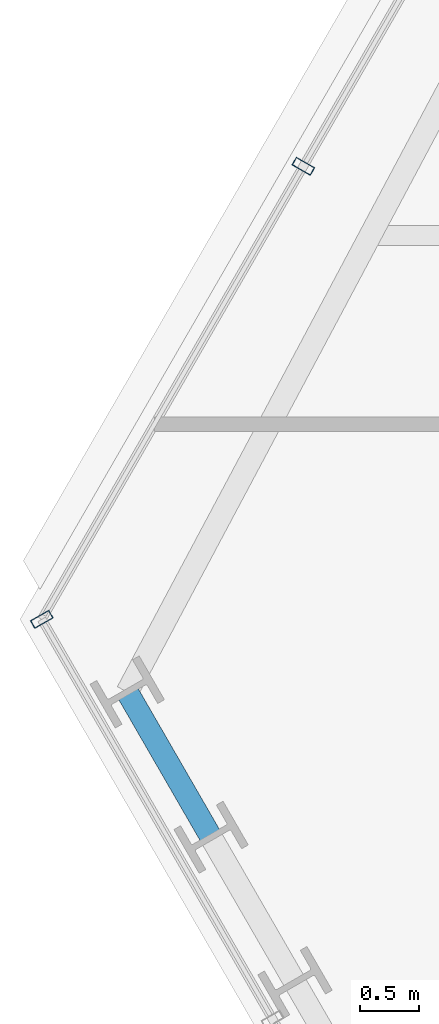
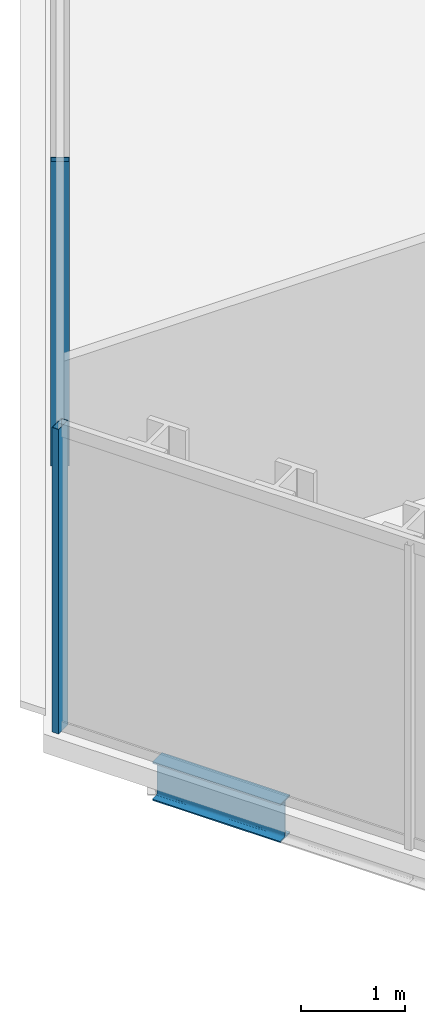
# One storey, part 5 of 31: 2 members, 1 beam, 2 elements without a shape of their own.
"""IFC4 building model written with IfcOpenShell, lengths in metres."""

from ifc_helpers import new_model, si_unit, direction, frame, origin, origin_2d, place, context, subcontext, project, spatial, hollow_rectangle, i_section, extrude, material, layer, layer_set, material_profile, profile_set, type_object, element, aggregate, save


model = new_model("IFC4")

# Units and contexts
model_context = context("Model", 3, precision=1e-05, world=origin(), true_north=direction((0.0, 1.0)))
body_context = subcontext(model_context, "Body", "Model", "MODEL_VIEW")
ifc_project = project(units=[si_unit("LENGTHUNIT", "METRE"), si_unit("AREAUNIT", "SQUARE_METRE"), si_unit("VOLUMEUNIT", "CUBIC_METRE"), si_unit("PLANEANGLEUNIT", "RADIAN"), si_unit("MASSUNIT", "GRAM", prefix="KILO")], contexts=[model_context])

# Site, building, storey
site_placement = place(None, origin())
site = spatial("IfcSite", under=ifc_project, at=site_placement, CompositionType="ELEMENT")
building_placement = place(site_placement, origin())
building = spatial("IfcBuilding", under=site, at=building_placement, Name="Ndaravel Arena Tower", CompositionType="ELEMENT")
storey_placement = place(building_placement, frame((0.0, 0.0, 138.39990234375)))
storey = spatial("IfcBuildingStorey", under=building, at=storey_placement, Name="L32", CompositionType="ELEMENT", Elevation=138.39990234375)

# Beam
ifc_material_1 = material(Name="Steel S355", Category="steel")
ifc_material_profile_1 = material_profile(ifc_material_1, i_section(OverallWidth=0.18994140625, OverallDepth=0.449951171875, WebThickness=0.009521484375, FlangeThickness=0.0146484375, FilletRadius=0.02099609375, at=origin_2d()), Name="IPE 450")
ifc_profile_set_1 = profile_set([ifc_material_profile_1], Name="Steel S355")
beam_type = type_object("IfcBeamType", Name="BM-SPAN-IPE450", PredefinedType="SPANDREL", material=ifc_profile_set_1)
beam_placement = place(storey_placement, frame((19.0859375, 14.726806640625, -0.44482421875), z_axis=(0.499920397431, -0.866071357471, 0.0), x_axis=(0.866071357471, 0.499920397431, 0.0)))
element("IfcBeam", 1, at=beam_placement, inside=storey, type_object=beam_type, Name="L32 Perimeter Spandrel Beam SP-20", PredefinedType="SPANDREL", context=body_context, shape_type="SweptSolid", body=[
    extrude(i_section(OverallWidth=0.18994140625, OverallDepth=0.449951171875, WebThickness=0.009521484375, FlangeThickness=0.0146484375, FilletRadius=0.02099609375, at=origin_2d()), origin(), (0.0, 0.0, 1.0), 1.423583984375),
])

# Curtain wall, member
ifc_material_2 = material(Name="Aluminium", Category="aluminium")
ifc_layer_1 = layer(ifc_material_2, 0.179931640625)
ifc_layer_set_1 = layer_set([ifc_layer_1], Name="Aluminium")
curtain_wall_type_1 = type_object("IfcCurtainWallType", Name="CW-SYS-03", PredefinedType="NOTDEFINED", material=ifc_layer_set_1)
curtain_wall_1_placement = place(storey_placement, origin())
curtain_wall_1 = element("IfcCurtainWall", 2, at=curtain_wall_1_placement, inside=storey, type_object=curtain_wall_type_1, Name="L32 Faceted Crystal Curtain Wall CW-L32-E05", PredefinedType="NOTDEFINED")
ifc_material_3 = material(Name="Aluminium", Category="aluminium")
ifc_material_profile_2 = material_profile(ifc_material_3, hollow_rectangle(XDim=0.074951171875, YDim=0.179931640625, WallThickness=0.00390625, at=origin_2d()), Name="CW MULLION 75x180x4")
ifc_profile_set_2 = profile_set([ifc_material_profile_2], Name="Aluminium")
member_type = type_object("IfcMemberType", Name="MEM-CW-MUL180", PredefinedType="MULLION", material=ifc_profile_set_2)
member_1_placement = place(storey_placement, frame((20.58056640625, 19.1884765625, 0.0), z_axis=(0.0, 0.0, 1.0), x_axis=(-0.5, -0.866025403784, 0.0)))
member_1 = element("IfcMember", 3, at=member_1_placement, type_object=member_type, Name="CW-L32-E05 Mullion 07", PredefinedType="MULLION", context=body_context, shape_type="SweptSolid", body=[
    extrude(hollow_rectangle(XDim=0.074951171875, YDim=0.179931640625, WallThickness=0.00390625, at=origin_2d()), origin(), (0.0, 0.0, 1.0), 3.580078125),
])
aggregate(curtain_wall_1, [member_1])

ifc_material_4 = material(Name="Aluminium", Category="aluminium")
ifc_layer_2 = layer(ifc_material_4, 0.179931640625)
ifc_layer_set_2 = layer_set([ifc_layer_2], Name="Aluminium")
curtain_wall_type_2 = type_object("IfcCurtainWallType", Name="CW-SYS-02", PredefinedType="NOTDEFINED", material=ifc_layer_set_2)
curtain_wall_2_placement = place(storey_placement, origin())
curtain_wall_2 = element("IfcCurtainWall", 4, at=curtain_wall_2_placement, inside=storey, type_object=curtain_wall_type_2, Name="L32 Faceted Crystal Curtain Wall CW-L32-E06", PredefinedType="NOTDEFINED")
member_2_placement = place(storey_placement, frame((18.360595703125, 15.34326171875, 0.0), z_axis=(0.0, 0.0, 1.0), x_axis=(0.5, -0.866025403784, 0.0)))
member_2 = element("IfcMember", 5, at=member_2_placement, type_object=member_type, Name="CW-L32-E06 Mullion 00", PredefinedType="MULLION", context=body_context, shape_type="SweptSolid", body=[
    extrude(hollow_rectangle(XDim=0.074951171875, YDim=0.179931640625, WallThickness=0.00390625, at=origin_2d()), origin(), (0.0, 0.0, 1.0), 3.580078125),
])
aggregate(curtain_wall_2, [member_2])

save(model, "model.ifc")
